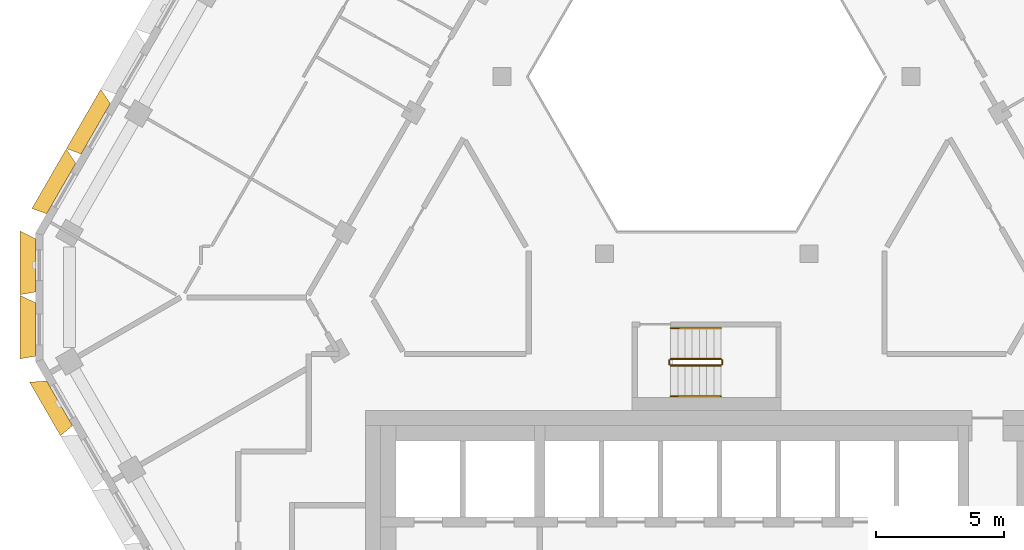
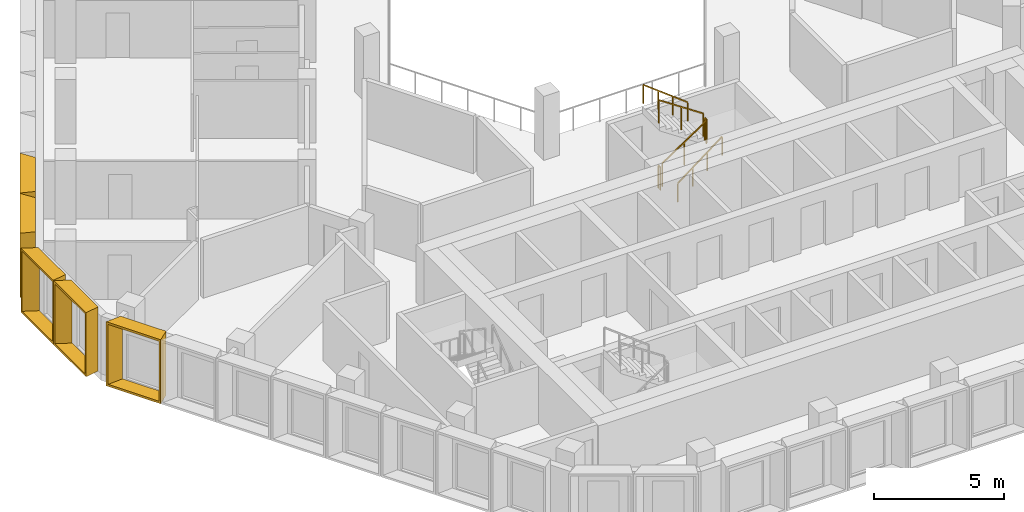
# One storey, part 14 of 17: 6 railings, 5 shading devices.
"""IFC4 building model written with IfcOpenShell, lengths in metres."""

from ifc_helpers import new_model, entity, si_unit, direction, frame, origin, origin_2d, place, context, subcontext, project, spatial, rectangle, extrude, source, transform, mapped, material, type_object, type_shapes, element, save


model = new_model("IFC4")

# Units and contexts
model_context = context("Model", 3, precision=1e-05, world=origin(), true_north=direction((0.0, 1.0)))
body_context = subcontext(model_context, "Body", "Model", "MODEL_VIEW")
ifc_project = project(units=[si_unit("LENGTHUNIT", "METRE"), si_unit("AREAUNIT", "SQUARE_METRE"), si_unit("VOLUMEUNIT", "CUBIC_METRE"), si_unit("PLANEANGLEUNIT", "RADIAN"), si_unit("MASSUNIT", "GRAM", prefix="KILO")], contexts=[model_context])

# Site, building, storey
site_placement = place(None, origin())
site = spatial("IfcSite", under=ifc_project, at=site_placement, CompositionType="ELEMENT")
building_placement = place(site_placement, origin())
building = spatial("IfcBuilding", under=site, at=building_placement, Name="Beryl Residences", CompositionType="ELEMENT")
storey_placement = place(building_placement, frame((0.0, 0.0, 172.199951171875)))
storey = spatial("IfcBuildingStorey", under=building, at=storey_placement, Name="L52", CompositionType="ELEMENT", Elevation=172.199951171875)

# Shading devices
ifc_material_1 = material(Name="Aluminium pale anodised", Category="aluminium")
shading_device_type_1 = type_object("IfcShadingDeviceType", Name="FR243-60B OUTER SKIN frame 600 mm deep, splay 26/10 deg, 2430 x 3000 mm cell", PredefinedType="USERDEFINED", material=ifc_material_1)
cartesian_point_1 = entity("IfcCartesianPoint", [-1.005615234375, 0.0])
cartesian_point_2 = entity("IfcCartesianPoint", [-0.91650390625, 0.10009765625])
cartesian_point_3 = entity("IfcCartesianPoint", [-1.298095703125, 0.0])
cartesian_point_4 = entity("IfcCartesianPoint", [-1.209228515625, 0.10009765625])
shared_shape_1 = source(origin(), body_context, "Body", "SweptSolid", [
    entity("IfcExtrudedAreaSolidTapered", entity("IfcArbitraryProfileDefWithVoids", "AREA", None, entity("IfcPolyline", [cartesian_point_1, entity("IfcCartesianPoint", [1.005615234375, 0.0]), entity("IfcCartesianPoint", [1.005615234375, 3.0]), entity("IfcCartesianPoint", [-1.005615234375, 3.0]), cartesian_point_1]), [entity("IfcPolyline", [cartesian_point_2, entity("IfcCartesianPoint", [0.92431640625, 0.10009765625]), entity("IfcCartesianPoint", [0.92431640625, 2.89990234375]), entity("IfcCartesianPoint", [-0.91650390625, 2.89990234375]), cartesian_point_2])]), entity("IfcAxis2Placement3D", entity("IfcCartesianPoint", [0.0, 0.0, 0.0]), entity("IfcDirection", [0.0, 1.0, 0.0]), entity("IfcDirection", [-1.0, 0.0, 0.0])), entity("IfcDirection", [0.0, 0.0, 1.0]), 0.60009765625, entity("IfcArbitraryProfileDefWithVoids", "AREA", None, entity("IfcPolyline", [cartesian_point_3, entity("IfcCartesianPoint", [1.111328125, 0.0]), entity("IfcCartesianPoint", [1.111328125, 3.0]), entity("IfcCartesianPoint", [-1.298095703125, 3.0]), cartesian_point_3]), [entity("IfcPolyline", [cartesian_point_4, entity("IfcCartesianPoint", [1.030029296875, 0.10009765625]), entity("IfcCartesianPoint", [1.030029296875, 2.89990234375]), entity("IfcCartesianPoint", [-1.209228515625, 2.89990234375]), cartesian_point_4])])),
])
type_shapes(shading_device_type_1, [shared_shape_1])
shading_device_placement = place(storey_placement, frame((-25.212890625, -4.72802734375, 0.0), z_axis=(0.0, 0.0, 1.0), x_axis=(-0.5, 0.866025403784, 0.0)))
element("IfcShadingDevice", 1, at=shading_device_placement, inside=storey, type_object=shading_device_type_1, Name="FR243-60B frame L52 SW 1", ObjectType="OUTER SKIN", PredefinedType="USERDEFINED", context=body_context, shape_type="MappedRepresentation", body=[
    mapped(shared_shape_1, transform((0.0, 0.0, 0.0))),
])
ifc_material_2 = material(Name="Aluminium pale anodised", Category="aluminium")
shading_device_type_2 = type_object("IfcShadingDeviceType", Name="FR250-60B OUTER SKIN frame 600 mm deep, splay 26/10 deg, 2500 x 3000 mm cell", PredefinedType="USERDEFINED", material=ifc_material_2)
cartesian_point_5 = entity("IfcCartesianPoint", [-1.04052734375, 0.0])
cartesian_point_6 = entity("IfcCartesianPoint", [-0.951416015625, 0.10009765625])
cartesian_point_7 = entity("IfcCartesianPoint", [-1.333251953125, 0.0])
cartesian_point_8 = entity("IfcCartesianPoint", [-1.244140625, 0.10009765625])
shared_shape_2 = source(origin(), body_context, "Body", "SweptSolid", [
    entity("IfcExtrudedAreaSolidTapered", entity("IfcArbitraryProfileDefWithVoids", "AREA", None, entity("IfcPolyline", [cartesian_point_5, entity("IfcCartesianPoint", [1.04052734375, 0.0]), entity("IfcCartesianPoint", [1.04052734375, 3.0]), entity("IfcCartesianPoint", [-1.04052734375, 3.0]), cartesian_point_5]), [entity("IfcPolyline", [cartesian_point_6, entity("IfcCartesianPoint", [0.959228515625, 0.10009765625]), entity("IfcCartesianPoint", [0.959228515625, 2.89990234375]), entity("IfcCartesianPoint", [-0.951416015625, 2.89990234375]), cartesian_point_6])]), entity("IfcAxis2Placement3D", entity("IfcCartesianPoint", [0.0, 0.0, 0.0]), entity("IfcDirection", [0.0, 1.0, 0.0]), entity("IfcDirection", [-1.0, 0.0, 0.0])), entity("IfcDirection", [0.0, 0.0, 1.0]), 0.60009765625, entity("IfcArbitraryProfileDefWithVoids", "AREA", None, entity("IfcPolyline", [cartesian_point_7, entity("IfcCartesianPoint", [1.146240234375, 0.0]), entity("IfcCartesianPoint", [1.146240234375, 3.0]), entity("IfcCartesianPoint", [-1.333251953125, 3.0]), cartesian_point_7]), [entity("IfcPolyline", [cartesian_point_8, entity("IfcCartesianPoint", [1.06494140625, 0.10009765625]), entity("IfcCartesianPoint", [1.06494140625, 2.89990234375]), entity("IfcCartesianPoint", [-1.244140625, 2.89990234375]), cartesian_point_8])])),
])
type_shapes(shading_device_type_2, [shared_shape_2])
for number, where, z_axis, x_axis, name in (
    (2, (-26.154052734375, 0.64990234375, 0.0), (0.0, 0.0, 1.0), (0.0, 1.0, 0.0), "FR250-60B frame L52 NW-SW 1"),
    (3, (-26.154052734375, -1.85009765625, 0.0), (0.0, 0.0, 1.0), (0.0, 1.0, 0.0), "FR250-60B frame L52 NW-SW 2"),
):
    element("IfcShadingDevice", number, at=place(storey_placement, frame(where, z_axis=z_axis, x_axis=x_axis)), inside=storey, type_object=shading_device_type_2, Name=name, ObjectType="OUTER SKIN", PredefinedType="USERDEFINED", context=body_context, shape_type="MappedRepresentation", body=[
        mapped(shared_shape_2, transform((0.0, 0.0, 0.0))),
    ])
ifc_material_3 = material(Name="Aluminium pale anodised", Category="aluminium")
shading_device_type_3 = type_object("IfcShadingDeviceType", Name="FR269-60B OUTER SKIN frame 600 mm deep, splay 26/10 deg, 2690 x 3000 mm cell", PredefinedType="USERDEFINED", material=ifc_material_3)
cartesian_point_9 = entity("IfcCartesianPoint", [-1.135498046875, 0.0])
cartesian_point_10 = entity("IfcCartesianPoint", [-1.04638671875, 0.10009765625])
cartesian_point_11 = entity("IfcCartesianPoint", [-1.42822265625, 0.0])
cartesian_point_12 = entity("IfcCartesianPoint", [-1.339111328125, 0.10009765625])
shared_shape_3 = source(origin(), body_context, "Body", "SweptSolid", [
    entity("IfcExtrudedAreaSolidTapered", entity("IfcArbitraryProfileDefWithVoids", "AREA", None, entity("IfcPolyline", [cartesian_point_9, entity("IfcCartesianPoint", [1.135498046875, 0.0]), entity("IfcCartesianPoint", [1.135498046875, 3.0]), entity("IfcCartesianPoint", [-1.135498046875, 3.0]), cartesian_point_9]), [entity("IfcPolyline", [cartesian_point_10, entity("IfcCartesianPoint", [1.05419921875, 0.10009765625]), entity("IfcCartesianPoint", [1.05419921875, 2.89990234375]), entity("IfcCartesianPoint", [-1.04638671875, 2.89990234375]), cartesian_point_10])]), entity("IfcAxis2Placement3D", entity("IfcCartesianPoint", [0.0, 0.0, 0.0]), entity("IfcDirection", [0.0, 1.0, 0.0]), entity("IfcDirection", [-1.0, 0.0, 0.0])), entity("IfcDirection", [0.0, 0.0, 1.0]), 0.60009765625, entity("IfcArbitraryProfileDefWithVoids", "AREA", None, entity("IfcPolyline", [cartesian_point_11, entity("IfcCartesianPoint", [1.2412109375, 0.0]), entity("IfcCartesianPoint", [1.2412109375, 3.0]), entity("IfcCartesianPoint", [-1.42822265625, 3.0]), cartesian_point_11]), [entity("IfcPolyline", [cartesian_point_12, entity("IfcCartesianPoint", [1.16015625, 0.10009765625]), entity("IfcCartesianPoint", [1.16015625, 2.89990234375]), entity("IfcCartesianPoint", [-1.339111328125, 2.89990234375]), cartesian_point_12])])),
])
type_shapes(shading_device_type_3, [shared_shape_3])
for number, where, z_axis, x_axis, name in (
    (4, (-23.802978515625, 5.971923828125, 0.0), (0.0, 0.0, 1.0), (0.5, 0.866025403784, 0.0), "FR269-60B frame L52 NW 7"),
    (5, (-25.14892578125, 3.639892578125, 0.0), (0.0, 0.0, 1.0), (0.5, 0.866025403784, 0.0), "FR269-60B frame L52 NW 8"),
):
    element("IfcShadingDevice", number, at=place(storey_placement, frame(where, z_axis=z_axis, x_axis=x_axis)), inside=storey, type_object=shading_device_type_3, Name=name, ObjectType="OUTER SKIN", PredefinedType="USERDEFINED", context=body_context, shape_type="MappedRepresentation", body=[
        mapped(shared_shape_3, transform((0.0, 0.0, 0.0))),
    ])

# Railings
ifc_material_4 = material(Name="Stainless steel balustrade with glass infill", Category="steel")
railing_type_1 = type_object("IfcRailingType", Name="SG1 stair guard 1100 mm", PredefinedType="GUARDRAIL", material=ifc_material_4)
railing_1_placement = place(storey_placement, frame((-1.39990234375, -3.25, 0.1875)))
element("IfcRailing", 6, at=railing_1_placement, inside=storey, type_object=railing_type_1, Name="L52 ST-4 stair guard 1", PredefinedType="GUARDRAIL", context=body_context, shape_type="SweptSolid", body=[
    extrude(rectangle(XDim=0.048095703125, YDim=0.048095703125, at=origin_2d()), frame((0.0, 0.0, 1.076171875), z_axis=(0.830902050051, 0.0, 0.556418712142), x_axis=(0.0, 1.0, 0.0)), (0.0, 0.0, 1.0), 2.35888671875),
    extrude(rectangle(XDim=0.0419921875, YDim=0.0419921875, at=origin_2d()), origin(), (0.0, 0.0, 1.0), 1.052001953125),
    extrude(rectangle(XDim=0.0419921875, YDim=0.0419921875, at=origin_2d()), frame((0.97998046875, 0.0, 0.65625)), (0.0, 0.0, 1.0), 1.052001953125),
    extrude(rectangle(XDim=0.0419921875, YDim=0.0419921875, at=origin_2d()), frame((1.9599609375, 0.0, 1.3125)), (0.0, 0.0, 1.0), 1.052001953125),
])
railing_2_placement = place(storey_placement, frame((0.610107421875, -3.199951171875, 1.5)))
element("IfcRailing", 7, at=railing_2_placement, inside=storey, type_object=railing_type_1, Name="L52 ST-4 stair guard 2", PredefinedType="GUARDRAIL", context=body_context, shape_type="SweptSolid", body=[
    extrude(rectangle(XDim=0.048095703125, YDim=0.048095703125, at=origin_2d()), frame((0.0, 0.0, 1.076171875), z_axis=(0.0, 1.0, 0.0), x_axis=(-1.0, 0.0, 0.0)), (0.0, 0.0, 1.0), 0.14990234375),
    extrude(rectangle(XDim=0.0419921875, YDim=0.0419921875, at=origin_2d()), origin(), (0.0, 0.0, 1.0), 1.052001953125),
    extrude(rectangle(XDim=0.0419921875, YDim=0.0419921875, at=origin_2d()), frame((0.0, 0.14990234375, 0.0)), (0.0, 0.0, 1.0), 1.052001953125),
])
railing_3_placement = place(storey_placement, frame((0.56005859375, -3.0, 1.6875)))
element("IfcRailing", 8, at=railing_3_placement, inside=storey, type_object=railing_type_1, Name="L52 ST-4 stair guard 3", PredefinedType="GUARDRAIL", context=body_context, shape_type="SweptSolid", body=[
    extrude(rectangle(XDim=0.048095703125, YDim=0.048095703125, at=origin_2d()), frame((0.0, 0.0, 1.076171875), z_axis=(-0.830902050051, 0.0, 0.556418712142), x_axis=(0.0, -1.0, 0.0)), (0.0, 0.0, 1.0), 2.35888671875),
    extrude(rectangle(XDim=0.0419921875, YDim=0.0419921875, at=origin_2d()), origin(), (0.0, 0.0, 1.0), 1.052001953125),
    extrude(rectangle(XDim=0.0419921875, YDim=0.0419921875, at=origin_2d()), frame((-0.97998046875, 0.0, 0.65625)), (0.0, 0.0, 1.0), 1.052001953125),
    extrude(rectangle(XDim=0.0419921875, YDim=0.0419921875, at=origin_2d()), frame((-1.9599609375, 0.0, 1.3125)), (0.0, 0.0, 1.0), 1.052001953125),
])
railing_4_placement = place(storey_placement, frame((-1.449951171875, -3.199951171875, 0.0)))
element("IfcRailing", 9, at=railing_4_placement, inside=storey, type_object=railing_type_1, Name="L52 ST-4 stair guard 4", PredefinedType="GUARDRAIL", context=body_context, shape_type="SweptSolid", body=[
    extrude(rectangle(XDim=0.048095703125, YDim=0.048095703125, at=origin_2d()), frame((0.0, 0.0, 1.076171875), z_axis=(0.0, 1.0, 0.0), x_axis=(-1.0, 0.0, 0.0)), (0.0, 0.0, 1.0), 0.14990234375),
    extrude(rectangle(XDim=0.0419921875, YDim=0.0419921875, at=origin_2d()), origin(), (0.0, 0.0, 1.0), 1.052001953125),
    extrude(rectangle(XDim=0.0419921875, YDim=0.0419921875, at=origin_2d()), frame((0.0, 0.14990234375, 0.0)), (0.0, 0.0, 1.0), 1.052001953125),
])
ifc_material_5 = material(Name="Stainless steel handrail", Category="steel")
railing_type_2 = type_object("IfcRailingType", Name="SRL1 stair handrail 900 mm", PredefinedType="HANDRAIL", material=ifc_material_5)
railing_5_placement = place(storey_placement, frame((-1.39990234375, -4.449951171875, 0.1875)))
element("IfcRailing", 10, at=railing_5_placement, inside=storey, type_object=railing_type_2, Name="L52 ST-4 stair handrail 1", PredefinedType="HANDRAIL", context=body_context, shape_type="SweptSolid", body=[
    extrude(rectangle(XDim=0.048095703125, YDim=0.048095703125, at=origin_2d()), frame((0.0, 0.0, 0.8759765625), z_axis=(0.794121922505, 0.0, 0.607758481798), x_axis=(0.0, 1.0, 0.0)), (0.0, 0.0, 1.0), 2.468017578125),
    extrude(rectangle(XDim=0.0419921875, YDim=0.0419921875, at=origin_2d()), origin(), (0.0, 0.0, 1.0), 0.851806640625),
    extrude(rectangle(XDim=0.0419921875, YDim=0.0419921875, at=origin_2d()), frame((0.6533203125, 0.0, 0.5)), (0.0, 0.0, 1.0), 0.851806640625),
    extrude(rectangle(XDim=0.0419921875, YDim=0.0419921875, at=origin_2d()), frame((1.306640625, 0.0, 1.0)), (0.0, 0.0, 1.0), 0.851806640625),
    extrude(rectangle(XDim=0.0419921875, YDim=0.0419921875, at=origin_2d()), frame((1.9599609375, 0.0, 1.5)), (0.0, 0.0, 1.0), 0.851806640625),
])
railing_6_placement = place(storey_placement, frame((0.56005859375, -1.800048828125, 1.6875)))
element("IfcRailing", 11, at=railing_6_placement, inside=storey, type_object=railing_type_2, Name="L52 ST-4 stair handrail 2", PredefinedType="HANDRAIL", context=body_context, shape_type="SweptSolid", body=[
    extrude(rectangle(XDim=0.048095703125, YDim=0.048095703125, at=origin_2d()), frame((0.0, 0.0, 0.8759765625), z_axis=(-0.794121922505, 0.0, 0.607758481798), x_axis=(0.0, -1.0, 0.0)), (0.0, 0.0, 1.0), 2.468017578125),
    extrude(rectangle(XDim=0.0419921875, YDim=0.0419921875, at=origin_2d()), origin(), (0.0, 0.0, 1.0), 0.851806640625),
    extrude(rectangle(XDim=0.0419921875, YDim=0.0419921875, at=origin_2d()), frame((-0.6533203125, 0.0, 0.5)), (0.0, 0.0, 1.0), 0.851806640625),
    extrude(rectangle(XDim=0.0419921875, YDim=0.0419921875, at=origin_2d()), frame((-1.306640625, 0.0, 1.0)), (0.0, 0.0, 1.0), 0.851806640625),
    extrude(rectangle(XDim=0.0419921875, YDim=0.0419921875, at=origin_2d()), frame((-1.9599609375, 0.0, 1.5)), (0.0, 0.0, 1.0), 0.851806640625),
])

save(model, "model.ifc")
